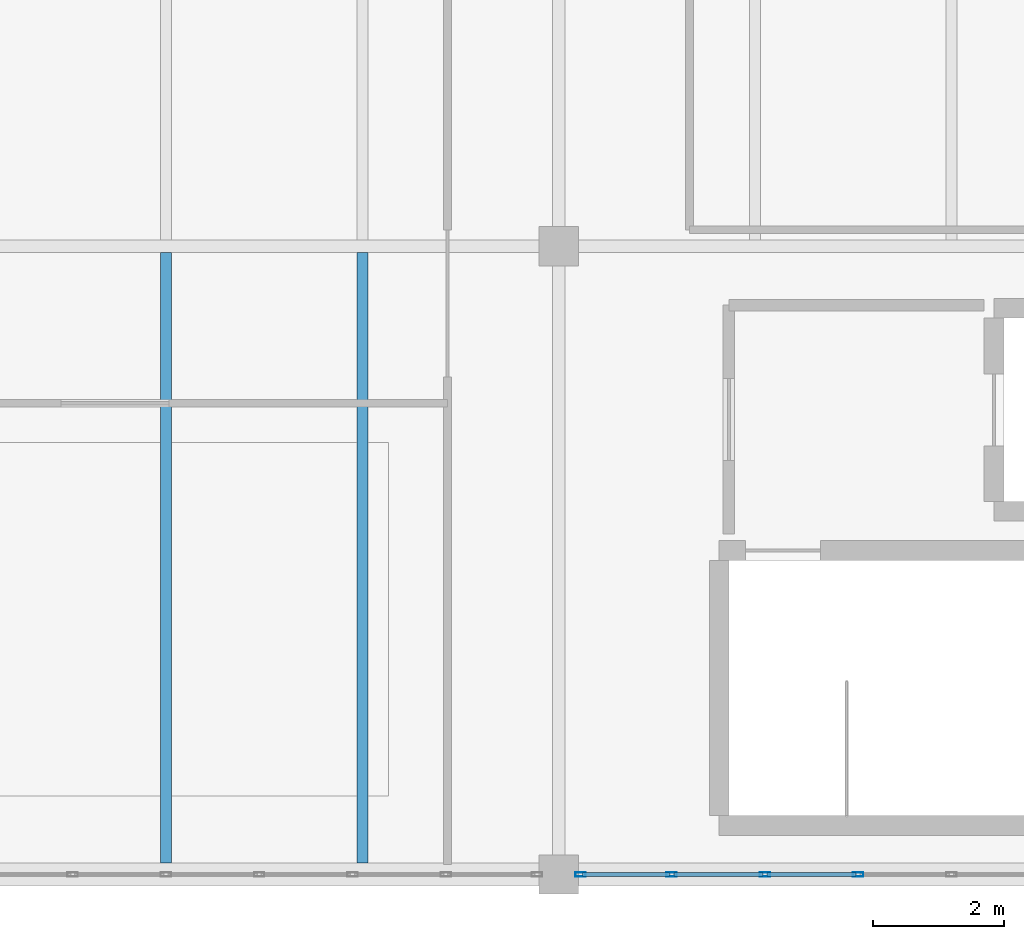
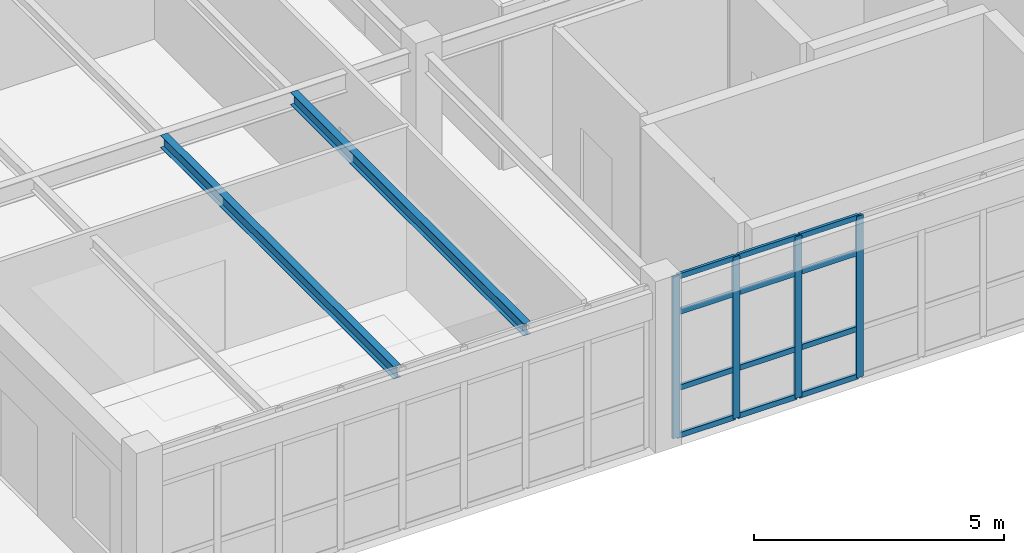
# One storey, part 5 of 28: 16 members, 2 beams, 1 element without a shape of its own.
"""IFC4 building model written with IfcOpenShell, lengths in metres."""

import ifcopenshell
import ifcopenshell.guid

model = None  # the IFC model being written
_history = None  # IfcOwnerHistory: only IFC2X3 demands one
_inside = {}  # id of a spatial element -> (the spatial element, [elements in it])
_under = {}  # id of a project, library or spatial element -> (it, [spatial elements below it])
_declared = {}  # id of a project -> (the project, [libraries it declares])
_typed = {}  # id of a type object -> (the type object, [elements of that type])
_made_of = {}  # id of a material, layer set ... -> (it, [elements and type objects made of it])


def new_model(schema):
    """Start an empty IFC model of exactly this schema.

    Asked for "IFC4X3", IfcOpenShell would pick the latest addendum, in which some entities
    have other attributes; the version numbers below select the first issue.
    IFC2X3 requires an IfcOwnerHistory on every rooted entity: one is made here for all.
    """
    global model, _history
    if schema == "IFC4X3":
        model = ifcopenshell.file(schema_version=(4, 3, 0, 0))
    else:
        model = ifcopenshell.file(schema=schema)
    _inside.clear()
    _under.clear()
    _declared.clear()
    _typed.clear()
    _made_of.clear()
    _history = None
    if model.schema == "IFC2X3":
        org = make("IfcOrganization", Name="unknown")
        user = make(
            "IfcPersonAndOrganization",
            ThePerson=make("IfcPerson", FamilyName="unknown"),
            TheOrganization=org,
        )
        app = make(
            "IfcApplication",
            ApplicationDeveloper=org,
            Version="unknown",
            ApplicationFullName="unknown",
            ApplicationIdentifier="unknown",
        )
        _history = make(
            "IfcOwnerHistory",
            OwningUser=user,
            OwningApplication=app,
            ChangeAction="ADDED",
            CreationDate=0,
        )
    return model


def make(cls, **values):
    """One entity of the class cls with the attributes given. An attribute that is None is left unset."""
    return model.create_entity(
        cls, **{name: value for name, value in values.items() if value is not None}
    )


def rooted(cls, **values):
    """An entity with a GlobalId (a new one), such as an element, a storey or a relation."""
    return make(cls, GlobalId=ifcopenshell.guid.new(), OwnerHistory=_history, **values)


def si_unit(unit_type, name, prefix=None):
    """IfcSIUnit, for example si_unit("LENGTHUNIT", "METRE", prefix="MILLI")."""
    return make("IfcSIUnit", UnitType=unit_type, Prefix=prefix, Name=name)


def assignment(units):
    """IfcUnitAssignment: the units of a project."""
    return None if units is None else make("IfcUnitAssignment", Units=units)


def point(xyz):
    """IfcCartesianPoint."""
    return None if xyz is None else make("IfcCartesianPoint", Coordinates=xyz)


def direction(xyz):
    """IfcDirection."""
    return None if xyz is None else make("IfcDirection", DirectionRatios=xyz)


def frame(location, z_axis=None, x_axis=None):
    """IfcAxis2Placement3D, a coordinate frame: its origin and axes. An axis left out is left unset."""
    return make(
        "IfcAxis2Placement3D",
        Location=point(location),
        Axis=direction(z_axis),
        RefDirection=direction(x_axis),
    )


def frame_2d(location, x_axis=None):
    """IfcAxis2Placement2D, a coordinate frame in the plane: its origin and x axis."""
    return make(
        "IfcAxis2Placement2D", Location=point(location), RefDirection=direction(x_axis)
    )


def origin():
    """The frame at (0, 0, 0) with its axes left unset."""
    return frame((0.0, 0.0, 0.0))


def origin_2d():
    """The frame at (0, 0) in the plane with its x axis left unset."""
    return frame_2d((0.0, 0.0))


def place(relative_to, where):
    """IfcLocalPlacement: puts the frame where relative to a parent placement (None: the world)."""
    return make(
        "IfcLocalPlacement", PlacementRelTo=relative_to, RelativePlacement=where
    )


def context(
    kind, dimensions, precision=None, world=None, true_north=None, identifier=None
):
    """IfcGeometricRepresentationContext, for example the 3D "Model" context."""
    return make(
        "IfcGeometricRepresentationContext",
        ContextIdentifier=identifier,
        ContextType=kind,
        CoordinateSpaceDimension=dimensions,
        Precision=precision,
        WorldCoordinateSystem=world,
        TrueNorth=true_north,
    )


def subcontext(parent, identifier, kind, view, scale=None):
    """IfcGeometricRepresentationSubContext, for example "Body" below "Model"."""
    return make(
        "IfcGeometricRepresentationSubContext",
        ContextIdentifier=identifier,
        ContextType=kind,
        ParentContext=parent,
        TargetScale=scale,
        TargetView=view,
    )


def project(units=None, contexts=None):
    """IfcProject with its units and contexts."""
    return rooted(
        "IfcProject",
        Name="project",
        RepresentationContexts=contexts,
        UnitsInContext=assignment(units),
    )


def spatial(cls, under=None, at=None, **own):
    """A site, building, storey or space (cls), placed at a placement, below another one or the project."""
    s = rooted(cls, ObjectPlacement=at, **own)
    if under is not None:
        _under.setdefault(under.id(), (under, []))[1].append(s)
    return s


def profile(cls, at=None, kind="AREA", **sizes):
    """A parametric profile (cls). Its sizes go by their IFC names, for example OverallWidth=200.0."""
    return make(cls, ProfileType=kind, Position=at, **sizes)


def hollow_rectangle(**sizes):
    """IfcRectangleHollowProfileDef."""
    return profile("IfcRectangleHollowProfileDef", **sizes)


def i_section(**sizes):
    """IfcIShapeProfileDef."""
    return profile("IfcIShapeProfileDef", **sizes)


def extrude(swept, where, along, depth):
    """IfcExtrudedAreaSolid: the profile swept, set in the frame where, extruded along a direction by depth."""
    return make(
        "IfcExtrudedAreaSolid",
        SweptArea=swept,
        Position=where,
        ExtrudedDirection=direction(along),
        Depth=depth,
    )


def shape(context_of_items, identifier, shape_type, items):
    """IfcShapeRepresentation: the items that make up one representation, for example the "Body"."""
    return make(
        "IfcShapeRepresentation",
        ContextOfItems=context_of_items,
        RepresentationIdentifier=identifier,
        RepresentationType=shape_type,
        Items=items,
    )


def material(Name=None, Category=None):
    """IfcMaterial."""
    return make("IfcMaterial", Name=Name, Category=Category)


def layer(
    of_material, thickness, ventilated=None, Name=None, Category=None, Priority=None
):
    """IfcMaterialLayer: one layer of a wall or slab, of a material (None: an air gap)."""
    return make(
        "IfcMaterialLayer",
        Material=of_material,
        LayerThickness=thickness,
        IsVentilated=ventilated,
        Name=Name,
        Category=Category,
        Priority=Priority,
    )


def layer_set(layers, Name=None):
    """IfcMaterialLayerSet."""
    return make("IfcMaterialLayerSet", MaterialLayers=layers, LayerSetName=Name)


def material_profile(
    of_material, cross_section, Name=None, Category=None, Priority=None
):
    """IfcMaterialProfile: a cross section and its material."""
    return make(
        "IfcMaterialProfile",
        Name=Name,
        Material=of_material,
        Profile=cross_section,
        Priority=Priority,
        Category=Category,
    )


def profile_set(profiles, Name=None, composite=None):
    """IfcMaterialProfileSet."""
    return make(
        "IfcMaterialProfileSet",
        Name=Name,
        MaterialProfiles=profiles,
        CompositeProfile=composite,
    )


def made_of(thing, what):
    """Note that an element or type object is made of a material, layer set ...; save() writes the relation."""
    if what is not None:
        _made_of.setdefault(what.id(), (what, []))[1].append(thing)
    return thing


def type_object(cls, material=None, **own):
    """A type object (cls), such as IfcWallType, which elements share."""
    return made_of(rooted(cls, **own), material)


def element(
    cls,
    number,
    at=None,
    inside=None,
    cuts=None,
    type_object=None,
    material=None,
    context=None,
    identifier="Body",
    shape_type=None,
    held_by="IfcProductDefinitionShape",
    body=None,
    shapes=None,
    **own,
):
    """One element of the class cls, such as IfcWall. Its Tag is "e" and its number.

    at: its placement. inside: the storey or other place that contains it. cuts: it is an
    opening in that element (IfcRelVoidsElement). A single representation is given by context,
    identifier, shape_type and body (its items); several are given by shapes. held_by: the class
    of the entity that holds the representations. save() writes the other relations.
    """
    e = rooted(cls, Tag="e%d" % number, ObjectPlacement=at, **own)
    if body is not None:
        shapes = [shape(context, identifier, shape_type, body)]
    if shapes is not None:
        e.Representation = make(held_by, Representations=shapes)
    if inside is not None:
        _inside.setdefault(inside.id(), (inside, []))[1].append(e)
    if cuts is not None:
        rooted(
            "IfcRelVoidsElement", RelatingBuildingElement=cuts, RelatedOpeningElement=e
        )
    if type_object is not None:
        _typed.setdefault(type_object.id(), (type_object, []))[1].append(e)
    return made_of(e, material)


def aggregate(whole, parts):
    """IfcRelAggregates: a whole, such as a stair, and the parts it consists of."""
    return rooted("IfcRelAggregates", RelatingObject=whole, RelatedObjects=parts)


def save(model, path):
    """Write the relations noted so far, then the file.

    IfcRelAggregates (storeys below a building ...), IfcRelContainedInSpatialStructure (elements
    in a storey), IfcRelDefinesByType, IfcRelAssociatesMaterial and IfcRelDeclares: one each for
    every whole, place, type object, material and project.
    """
    for whole, parts in _under.values():
        aggregate(whole, parts)
    for where, things in _inside.values():
        rooted(
            "IfcRelContainedInSpatialStructure",
            RelatedElements=things,
            RelatingStructure=where,
        )
    for kind, things in _typed.values():
        rooted("IfcRelDefinesByType", RelatedObjects=things, RelatingType=kind)
    for what, things in _made_of.values():
        rooted("IfcRelAssociatesMaterial", RelatedObjects=things, RelatingMaterial=what)
    for by, libraries in _declared.values():
        rooted("IfcRelDeclares", RelatingContext=by, RelatedDefinitions=libraries)
    model.write(path)


model = new_model("IFC4")

# Units and contexts
model_context = context("Model", 3, precision=1e-05, world=origin(), true_north=direction((0.0, 1.0)))
body_context = subcontext(model_context, "Body", "Model", "MODEL_VIEW")
ifc_project = project(units=[si_unit("LENGTHUNIT", "METRE"), si_unit("AREAUNIT", "SQUARE_METRE"), si_unit("VOLUMEUNIT", "CUBIC_METRE"), si_unit("PLANEANGLEUNIT", "RADIAN"), si_unit("MASSUNIT", "GRAM", prefix="KILO")], contexts=[model_context])

# Site, building, storey
site_placement = place(None, origin())
site = spatial("IfcSite", under=ifc_project, at=site_placement, CompositionType="ELEMENT")
building_placement = place(site_placement, origin())
building = spatial("IfcBuilding", under=site, at=building_placement, Name="Pandanus Reach Market Hall", CompositionType="ELEMENT")
storey_placement = place(building_placement, frame((0.0, 0.0, 18.60009765625)))
storey = spatial("IfcBuildingStorey", under=building, at=storey_placement, Name="L04", CompositionType="ELEMENT", Elevation=18.60009765625)

# Curtain wall, members
ifc_material_1 = material(Name="Bronze anodised aluminium and low-E glass", Category="aluminium")
ifc_layer = layer(ifc_material_1, 0.159912109375, Name="CW-35")
ifc_layer_set = layer_set([ifc_layer], Name="Bronze anodised aluminium and low-E glass")
curtain_wall_type = type_object("IfcCurtainWallType", Name="CW-35", PredefinedType="NOTDEFINED", material=ifc_layer_set)
curtain_wall_placement = place(storey_placement, origin())
curtain_wall = element("IfcCurtainWall", 1, at=curtain_wall_placement, inside=storey, type_object=curtain_wall_type, Name="Glazed curtain wall CW-35 CW-0129", PredefinedType="NOTDEFINED")
ifc_material_2 = material(Name="Bronze anodised aluminium", Category="aluminium")
ifc_material_profile_1 = material_profile(ifc_material_2, hollow_rectangle(XDim=0.06494140625, YDim=0.159912109375, WallThickness=0.00390625, at=origin_2d()), Name="ALU65x160", Category="LoadBearing")
ifc_profile_set_1 = profile_set([ifc_material_profile_1], Name="Bronze anodised aluminium")
member_type_1 = type_object("IfcMemberType", Name="CW-M1", PredefinedType="MULLION", material=ifc_profile_set_1)
member_1_placement = place(storey_placement, frame((168.33251953125, 28.800048828125, 0.0), z_axis=(0.0, 0.0, 1.0), x_axis=(0.0, 1.0, 0.0)))
member_1 = element("IfcMember", 2, at=member_1_placement, type_object=member_type_1, Name="CW-35 mullion 1", PredefinedType="MULLION", context=body_context, shape_type="SweptSolid", body=[
    extrude(hollow_rectangle(XDim=0.06494140625, YDim=0.159912109375, WallThickness=0.00390625, at=origin_2d()), origin(), (0.0, 0.0, 1.0), 3.949951171875),
])
member_2_placement = place(storey_placement, frame((169.72509765625, 28.800048828125, 0.0), z_axis=(0.0, 0.0, 1.0), x_axis=(0.0, 1.0, 0.0)))
member_2 = element("IfcMember", 3, at=member_2_placement, type_object=member_type_1, Name="CW-35 mullion 2", PredefinedType="MULLION", context=body_context, shape_type="SweptSolid", body=[
    extrude(hollow_rectangle(XDim=0.06494140625, YDim=0.159912109375, WallThickness=0.00390625, at=origin_2d()), origin(), (0.0, 0.0, 1.0), 3.949951171875),
])
member_3_placement = place(storey_placement, frame((171.14990234375, 28.800048828125, 0.0), z_axis=(0.0, 0.0, 1.0), x_axis=(0.0, 1.0, 0.0)))
member_3 = element("IfcMember", 4, at=member_3_placement, type_object=member_type_1, Name="CW-35 mullion 3", PredefinedType="MULLION", context=body_context, shape_type="SweptSolid", body=[
    extrude(hollow_rectangle(XDim=0.06494140625, YDim=0.159912109375, WallThickness=0.00390625, at=origin_2d()), origin(), (0.0, 0.0, 1.0), 3.949951171875),
])
member_4_placement = place(storey_placement, frame((172.574951171875, 28.800048828125, 0.0), z_axis=(0.0, 0.0, 1.0), x_axis=(0.0, 1.0, 0.0)))
member_4 = element("IfcMember", 5, at=member_4_placement, type_object=member_type_1, Name="CW-35 mullion 4", PredefinedType="MULLION", context=body_context, shape_type="SweptSolid", body=[
    extrude(hollow_rectangle(XDim=0.06494140625, YDim=0.159912109375, WallThickness=0.00390625, at=origin_2d()), origin(), (0.0, 0.0, 1.0), 3.949951171875),
])
ifc_material_profile_2 = material_profile(ifc_material_2, hollow_rectangle(XDim=0.06494140625, YDim=0.1298828125, WallThickness=0.00390625, at=origin_2d()), Name="ALU65x130", Category="LoadBearing")
ifc_profile_set_2 = profile_set([ifc_material_profile_2], Name="Bronze anodised aluminium")
member_type_2 = type_object("IfcMemberType", Name="CW-T1", PredefinedType="USERDEFINED", material=ifc_profile_set_2)
member_5_placement = place(storey_placement, frame((168.364990234375, 28.800048828125, 0.032470703125), z_axis=(1.0, 0.0, 0.0), x_axis=(0.0, 1.0, 0.0)))
member_5 = element("IfcMember", 6, at=member_5_placement, type_object=member_type_2, Name="CW-35 transom 1.1", ObjectType="TRANSOM", PredefinedType="USERDEFINED", context=body_context, shape_type="SweptSolid", body=[
    extrude(hollow_rectangle(XDim=0.06494140625, YDim=0.1298828125, WallThickness=0.00390625, at=origin_2d()), origin(), (0.0, 0.0, 1.0), 1.327392578125),
])
member_6_placement = place(storey_placement, frame((168.364990234375, 28.800048828125, 1.199951171875), z_axis=(1.0, 0.0, 0.0), x_axis=(0.0, 1.0, 0.0)))
member_6 = element("IfcMember", 7, at=member_6_placement, type_object=member_type_2, Name="CW-35 transom 1.2", ObjectType="TRANSOM", PredefinedType="USERDEFINED", context=body_context, shape_type="SweptSolid", body=[
    extrude(hollow_rectangle(XDim=0.06494140625, YDim=0.1298828125, WallThickness=0.00390625, at=origin_2d()), origin(), (0.0, 0.0, 1.0), 1.327392578125),
])
member_7_placement = place(storey_placement, frame((168.364990234375, 28.800048828125, 3.0498046875), z_axis=(1.0, 0.0, 0.0), x_axis=(0.0, 1.0, 0.0)))
member_7 = element("IfcMember", 8, at=member_7_placement, type_object=member_type_2, Name="CW-35 transom 1.3", ObjectType="TRANSOM", PredefinedType="USERDEFINED", context=body_context, shape_type="SweptSolid", body=[
    extrude(hollow_rectangle(XDim=0.06494140625, YDim=0.1298828125, WallThickness=0.00390625, at=origin_2d()), origin(), (0.0, 0.0, 1.0), 1.327392578125),
])
member_8_placement = place(storey_placement, frame((168.364990234375, 28.800048828125, 3.91748046875), z_axis=(1.0, 0.0, 0.0), x_axis=(0.0, 1.0, 0.0)))
member_8 = element("IfcMember", 9, at=member_8_placement, type_object=member_type_2, Name="CW-35 transom 1.4", ObjectType="TRANSOM", PredefinedType="USERDEFINED", context=body_context, shape_type="SweptSolid", body=[
    extrude(hollow_rectangle(XDim=0.06494140625, YDim=0.1298828125, WallThickness=0.00390625, at=origin_2d()), origin(), (0.0, 0.0, 1.0), 1.327392578125),
])
member_9_placement = place(storey_placement, frame((169.757568359375, 28.800048828125, 0.032470703125), z_axis=(1.0, 0.0, 0.0), x_axis=(0.0, 1.0, 0.0)))
member_9 = element("IfcMember", 10, at=member_9_placement, type_object=member_type_2, Name="CW-35 transom 2.1", ObjectType="TRANSOM", PredefinedType="USERDEFINED", context=body_context, shape_type="SweptSolid", body=[
    extrude(hollow_rectangle(XDim=0.06494140625, YDim=0.1298828125, WallThickness=0.00390625, at=origin_2d()), origin(), (0.0, 0.0, 1.0), 1.35986328125),
])
member_10_placement = place(storey_placement, frame((169.757568359375, 28.800048828125, 1.199951171875), z_axis=(1.0, 0.0, 0.0), x_axis=(0.0, 1.0, 0.0)))
member_10 = element("IfcMember", 11, at=member_10_placement, type_object=member_type_2, Name="CW-35 transom 2.2", ObjectType="TRANSOM", PredefinedType="USERDEFINED", context=body_context, shape_type="SweptSolid", body=[
    extrude(hollow_rectangle(XDim=0.06494140625, YDim=0.1298828125, WallThickness=0.00390625, at=origin_2d()), origin(), (0.0, 0.0, 1.0), 1.35986328125),
])
member_11_placement = place(storey_placement, frame((169.757568359375, 28.800048828125, 3.0498046875), z_axis=(1.0, 0.0, 0.0), x_axis=(0.0, 1.0, 0.0)))
member_11 = element("IfcMember", 12, at=member_11_placement, type_object=member_type_2, Name="CW-35 transom 2.3", ObjectType="TRANSOM", PredefinedType="USERDEFINED", context=body_context, shape_type="SweptSolid", body=[
    extrude(hollow_rectangle(XDim=0.06494140625, YDim=0.1298828125, WallThickness=0.00390625, at=origin_2d()), origin(), (0.0, 0.0, 1.0), 1.35986328125),
])
member_12_placement = place(storey_placement, frame((169.757568359375, 28.800048828125, 3.91748046875), z_axis=(1.0, 0.0, 0.0), x_axis=(0.0, 1.0, 0.0)))
member_12 = element("IfcMember", 13, at=member_12_placement, type_object=member_type_2, Name="CW-35 transom 2.4", ObjectType="TRANSOM", PredefinedType="USERDEFINED", context=body_context, shape_type="SweptSolid", body=[
    extrude(hollow_rectangle(XDim=0.06494140625, YDim=0.1298828125, WallThickness=0.00390625, at=origin_2d()), origin(), (0.0, 0.0, 1.0), 1.35986328125),
])
member_13_placement = place(storey_placement, frame((171.1826171875, 28.800048828125, 0.032470703125), z_axis=(1.0, 0.0, 0.0), x_axis=(0.0, 1.0, 0.0)))
member_13 = element("IfcMember", 14, at=member_13_placement, type_object=member_type_2, Name="CW-35 transom 3.1", ObjectType="TRANSOM", PredefinedType="USERDEFINED", context=body_context, shape_type="SweptSolid", body=[
    extrude(hollow_rectangle(XDim=0.06494140625, YDim=0.1298828125, WallThickness=0.00390625, at=origin_2d()), origin(), (0.0, 0.0, 1.0), 1.35986328125),
])
member_14_placement = place(storey_placement, frame((171.1826171875, 28.800048828125, 1.199951171875), z_axis=(1.0, 0.0, 0.0), x_axis=(0.0, 1.0, 0.0)))
member_14 = element("IfcMember", 15, at=member_14_placement, type_object=member_type_2, Name="CW-35 transom 3.2", ObjectType="TRANSOM", PredefinedType="USERDEFINED", context=body_context, shape_type="SweptSolid", body=[
    extrude(hollow_rectangle(XDim=0.06494140625, YDim=0.1298828125, WallThickness=0.00390625, at=origin_2d()), origin(), (0.0, 0.0, 1.0), 1.35986328125),
])
member_15_placement = place(storey_placement, frame((171.1826171875, 28.800048828125, 3.0498046875), z_axis=(1.0, 0.0, 0.0), x_axis=(0.0, 1.0, 0.0)))
member_15 = element("IfcMember", 16, at=member_15_placement, type_object=member_type_2, Name="CW-35 transom 3.3", ObjectType="TRANSOM", PredefinedType="USERDEFINED", context=body_context, shape_type="SweptSolid", body=[
    extrude(hollow_rectangle(XDim=0.06494140625, YDim=0.1298828125, WallThickness=0.00390625, at=origin_2d()), origin(), (0.0, 0.0, 1.0), 1.35986328125),
])
member_16_placement = place(storey_placement, frame((171.1826171875, 28.800048828125, 3.91748046875), z_axis=(1.0, 0.0, 0.0), x_axis=(0.0, 1.0, 0.0)))
member_16 = element("IfcMember", 17, at=member_16_placement, type_object=member_type_2, Name="CW-35 transom 3.4", ObjectType="TRANSOM", PredefinedType="USERDEFINED", context=body_context, shape_type="SweptSolid", body=[
    extrude(hollow_rectangle(XDim=0.06494140625, YDim=0.1298828125, WallThickness=0.00390625, at=origin_2d()), origin(), (0.0, 0.0, 1.0), 1.35986328125),
])
aggregate(curtain_wall, [member_1, member_2, member_3, member_4, member_5, member_6, member_7, member_8, member_9, member_10, member_11, member_12, member_13, member_14, member_15, member_16])

# Beams
ifc_material_3 = material(Name="Steel Grade 350 (350 MPa)", Category="steel")
ifc_material_profile_3 = material_profile(ifc_material_3, i_section(OverallWidth=0.1650390625, OverallDepth=0.303955078125, WebThickness=0.006103515625, FlangeThickness=0.01025390625, at=origin_2d()), Name="310UB40.4", Category="LoadBearing")
ifc_profile_set_3 = profile_set([ifc_material_profile_3], Name="Steel Grade 350 (350 MPa)")
beam_type = type_object("IfcBeamType", Name="JS-UB310-I", PredefinedType="JOIST", material=ifc_profile_set_3)
for number, where, z_axis, x_axis, name in (
    (18, (162.0, 28.972900390625, 3.70751953125), (0.0, 1.0, 0.0), (-1.0, 0.0, 0.0), "Secondary joist JS-UB310-I L04.638"),
    (19, (165.0, 28.972900390625, 3.70751953125), (0.0, 1.0, 0.0), (-1.0, 0.0, 0.0), "Secondary joist JS-UB310-I L04.639"),
):
    element("IfcBeam", number, at=place(storey_placement, frame(where, z_axis=z_axis, x_axis=x_axis)), inside=storey, type_object=beam_type, Name=name, PredefinedType="JOIST", context=body_context, shape_type="SweptSolid", body=[
        extrude(i_section(OverallWidth=0.1650390625, OverallDepth=0.303955078125, WebThickness=0.006103515625, FlangeThickness=0.01025390625, at=origin_2d()), origin(), (0.0, 0.0, 1.0), 9.333984375),
    ])

save(model, "model.ifc")
